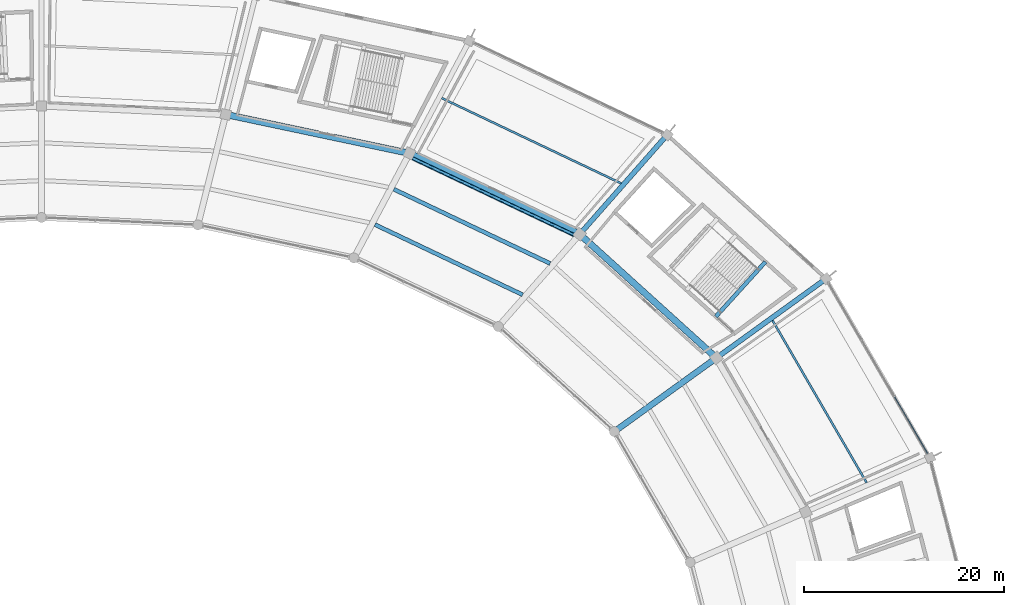
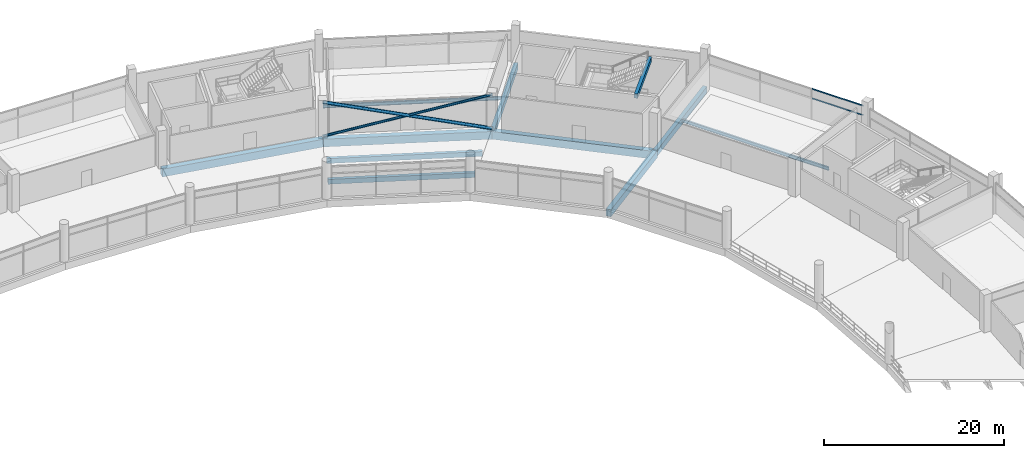
# One storey, part 129 of 184: 11 beams, 4 members, 1 element without a shape of its own.
"""IFC4 building model written with IfcOpenShell, lengths in metres."""

from ifc_helpers import new_model, si_unit, direction, frame, origin, origin_2d, place, context, subcontext, project, spatial, rectangle, hollow_rectangle, hollow_circle, i_section, extrude, material, layer, layer_set, material_profile, profile_set, type_object, element, aggregate, save


model = new_model("IFC4")

# Units and contexts
model_context = context("Model", 3, precision=1e-05, world=origin(), true_north=direction((0.0, 1.0)))
body_context = subcontext(model_context, "Body", "Model", "MODEL_VIEW")
ifc_project = project(units=[si_unit("LENGTHUNIT", "METRE"), si_unit("AREAUNIT", "SQUARE_METRE"), si_unit("VOLUMEUNIT", "CUBIC_METRE"), si_unit("PLANEANGLEUNIT", "RADIAN"), si_unit("MASSUNIT", "GRAM", prefix="KILO")], contexts=[model_context])

# Site, building, storey
site_placement = place(None, origin())
site = spatial("IfcSite", under=ifc_project, at=site_placement, CompositionType="ELEMENT")
building_placement = place(site_placement, origin())
building = spatial("IfcBuilding", under=site, at=building_placement, Name="Kazemori Nagisa Stadium", CompositionType="ELEMENT")
storey_placement = place(building_placement, frame((0.0, 0.0, 10.5400390625)))
storey = spatial("IfcBuildingStorey", under=building, at=storey_placement, Name="L02", CompositionType="ELEMENT", Elevation=10.5400390625)

# Beams
ifc_material_1 = material(Name="Concrete C40/50 (Fc42)", Category="concrete")
ifc_material_profile_1 = material_profile(ifc_material_1, rectangle(XDim=0.39990234375, YDim=0.60009765625, at=origin_2d()), Name="RC-BM-400x600")
ifc_profile_set_1 = profile_set([ifc_material_profile_1], Name="Concrete C40/50 (Fc42)")
beam_type_1 = type_object("IfcBeamType", Name="Beam_BG-LND400X600", PredefinedType="BEAM", material=ifc_profile_set_1)
beam_1_placement = place(storey_placement, frame((190.454345703125, 154.8681640625, 4.5400390625), z_axis=(0.671129682405, 0.741339968837, 0.0), x_axis=(-0.741339968837, 0.671129682405, 0.0)))
element("IfcBeam", 1, at=beam_1_placement, inside=storey, type_object=beam_type_1, Name="Core stair arrival header girder ST01-L02", PredefinedType="BEAM", context=body_context, shape_type="SweptSolid", body=[
    extrude(rectangle(XDim=0.39990234375, YDim=0.60009765625, at=origin_2d()), origin(), (0.0, 0.0, 1.0), 7.3857421875),
])
ifc_material_profile_2 = material_profile(ifc_material_1, rectangle(XDim=0.5, YDim=0.85009765625, at=origin_2d()), Name="RC-BM-500x850")
ifc_profile_set_2 = profile_set([ifc_material_profile_2], Name="Concrete C40/50 (Fc42)")
beam_type_2 = type_object("IfcBeamType", Name="Beam_BG-RC500X850", PredefinedType="BEAM", material=ifc_profile_set_2)
beam_2_placement = place(storey_placement, frame((190.506103515625, 150.734130859375, -0.68505859375), z_axis=(0.810787509935, 0.585340596349, 0.0), x_axis=(-0.585340596349, 0.810787509935, 0.0)))
element("IfcBeam", 2, at=beam_2_placement, inside=storey, type_object=beam_type_2, Name="Radial girder BG-RC500X850 L02 R2-R3-04", PredefinedType="BEAM", context=body_context, shape_type="SweptSolid", body=[
    extrude(rectangle(XDim=0.5, YDim=0.85009765625, at=origin_2d()), origin(), (0.0, 0.0, 1.0), 13.5537109375),
])
beam_3_placement = place(storey_placement, frame((176.834228515625, 163.11083984375, -0.68505859375), z_axis=(0.661019680997, 0.750368563664, 0.0), x_axis=(-0.750368563664, 0.661019680997, 0.0)))
element("IfcBeam", 3, at=beam_3_placement, inside=storey, type_object=beam_type_2, Name="Radial girder BG-RC500X850 L02 R2-R3-05", PredefinedType="BEAM", context=body_context, shape_type="SweptSolid", body=[
    extrude(rectangle(XDim=0.5, YDim=0.85009765625, at=origin_2d()), origin(), (0.0, 0.0, 1.0), 13.2578125),
])
ifc_material_profile_3 = material_profile(ifc_material_1, rectangle(XDim=0.60009765625, YDim=0.949951171875, at=origin_2d()), Name="RC-BM-600x950")
ifc_profile_set_3 = profile_set([ifc_material_profile_3], Name="Concrete C40/50 (Fc42)")
beam_type_3 = type_object("IfcBeamType", Name="Beam_BG-RC600X950", PredefinedType="BEAM", material=ifc_profile_set_3)
beam_4_placement = place(storey_placement, frame((180.301513671875, 143.367431640625, -0.735107421875), z_axis=(0.810802996314, 0.585319144714, 0.0), x_axis=(-0.585319144714, 0.810802996314, 0.0)))
element("IfcBeam", 4, at=beam_4_placement, inside=storey, type_object=beam_type_3, Name="Radial girder BG-RC600X950 L02 R1-R2-04", PredefinedType="BEAM", context=body_context, shape_type="SweptSolid", body=[
    extrude(rectangle(XDim=0.60009765625, YDim=0.949951171875, at=origin_2d()), origin(), (0.0, 0.0, 1.0), 12.585693359375),
])
ifc_material_profile_4 = material_profile(ifc_material_1, rectangle(XDim=0.64990234375, YDim=1.050048828125, at=origin_2d()), Name="RC-BM-650x1050")
ifc_profile_set_4 = profile_set([ifc_material_profile_4], Name="Concrete C40/50 (Fc42)")
beam_type_4 = type_object("IfcBeamType", Name="Beam_BG-RC650X1050", PredefinedType="BEAM", material=ifc_profile_set_4)
beam_5_placement = place(storey_placement, frame((190.506103515625, 150.734130859375, -0.78515625), z_axis=(-0.741349142139, 0.671119549298, 0.0), x_axis=(-0.671119549298, -0.741349142139, 0.0)))
element("IfcBeam", 5, at=beam_5_placement, inside=storey, type_object=beam_type_4, Name="Ring girder BG-RC650X1050 L02 R2-04", PredefinedType="BEAM", context=body_context, shape_type="SweptSolid", body=[
    extrude(rectangle(XDim=0.64990234375, YDim=1.050048828125, at=origin_2d()), origin(), (0.0, 0.0, 1.0), 18.44189453125),
])
beam_6_placement = place(storey_placement, frame((176.834228515625, 163.11083984375, -0.78515625), z_axis=(-0.90321938295, 0.42917915404, 0.0), x_axis=(-0.42917915404, -0.90321938295, 0.0)))
element("IfcBeam", 6, at=beam_6_placement, inside=storey, type_object=beam_type_4, Name="Ring girder BG-RC650X1050 L02 R2-05", PredefinedType="BEAM", context=body_context, shape_type="SweptSolid", body=[
    extrude(rectangle(XDim=0.64990234375, YDim=1.050048828125, at=origin_2d()), origin(), (0.0, 0.0, 1.0), 18.84619140625),
])
beam_7_placement = place(storey_placement, frame((159.81201171875, 171.19921875, -0.78515625), z_axis=(-0.978345149833, 0.206980114499, 0.0), x_axis=(-0.206980114499, -0.978345149833, 0.0)))
element("IfcBeam", 7, at=beam_7_placement, inside=storey, type_object=beam_type_4, Name="Ring girder BG-RC650X1050 L02 R2-06", PredefinedType="BEAM", context=body_context, shape_type="SweptSolid", body=[
    extrude(rectangle(XDim=0.64990234375, YDim=1.050048828125, at=origin_2d()), origin(), (0.0, 0.0, 1.0), 18.791259765625),
])
ifc_material_2 = material(Name="Steel SN490B", Category="steel")
ifc_material_profile_5 = material_profile(ifc_material_2, i_section(OverallWidth=0.199951171875, OverallDepth=0.449951171875, WebThickness=0.009033203125, FlangeThickness=0.013916015625, FilletRadius=0.012939453125, at=origin_2d()), Name="H-450x200x9x14")
ifc_profile_set_5 = profile_set([ifc_material_profile_5], Name="Steel SN490B")
beam_type_5 = type_object("IfcBeamType", Name="Beam_BJ-H450", PredefinedType="JOIST", material=ifc_profile_set_5)
beam_8_placement = place(storey_placement, frame((205.5400390625, 138.2490234375, -0.485107421875), z_axis=(-0.501610844533, 0.865093382616, 0.0), x_axis=(-0.865093382616, -0.501610844533, 0.0)))
element("IfcBeam", 8, at=beam_8_placement, inside=storey, type_object=beam_type_5, Name="Outer bay joist BJ-H450 L02 B03", PredefinedType="JOIST", context=body_context, shape_type="SweptSolid", body=[
    extrude(i_section(OverallWidth=0.199951171875, OverallDepth=0.449951171875, WebThickness=0.009033203125, FlangeThickness=0.013916015625, FilletRadius=0.012939453125, at=origin_2d()), origin(), (0.0, 0.0, 1.0), 18.7724609375),
])
beam_9_placement = place(storey_placement, frame((180.994873046875, 168.18994140625, -0.485107421875), z_axis=(-0.903215058486, 0.429188254876, 0.0), x_axis=(-0.429188254876, -0.903215058486, 0.0)))
element("IfcBeam", 9, at=beam_9_placement, inside=storey, type_object=beam_type_5, Name="Outer bay joist BJ-H450 L02 B05", PredefinedType="JOIST", context=body_context, shape_type="SweptSolid", body=[
    extrude(i_section(OverallWidth=0.199951171875, OverallDepth=0.449951171875, WebThickness=0.009033203125, FlangeThickness=0.013916015625, FilletRadius=0.012939453125, at=origin_2d()), origin(), (0.0, 0.0, 1.0), 19.89013671875),
])
ifc_material_profile_6 = material_profile(ifc_material_1, rectangle(XDim=0.39990234375, YDim=0.64990234375, at=origin_2d()), Name="RC-BM-400x650")
ifc_profile_set_6 = profile_set([ifc_material_profile_6], Name="Concrete C40/50 (Fc42)")
beam_type_6 = type_object("IfcBeamType", Name="Beam_BJ-RC400X650", PredefinedType="JOIST", material=ifc_profile_set_6)
beam_10_placement = place(storey_placement, frame((171.121826171875, 157.05517578125, -0.5849609375), z_axis=(-0.903215717065, 0.429186868912, 0.0), x_axis=(-0.429186868912, -0.903215717065, 0.0)))
element("IfcBeam", 10, at=beam_10_placement, inside=storey, type_object=beam_type_6, Name="Concourse joist BJ-RC400X650 L02 B05-1", PredefinedType="JOIST", context=body_context, shape_type="SweptSolid", body=[
    extrude(rectangle(XDim=0.39990234375, YDim=0.64990234375, at=origin_2d()), origin(), (0.0, 0.0, 1.0), 16.349609375),
])
beam_11_placement = place(storey_placement, frame((173.8759765625, 160.181884765625, -0.5849609375), z_axis=(-0.903215468459, 0.429187392099, 0.0), x_axis=(-0.429187392099, -0.903215468459, 0.0)))
element("IfcBeam", 11, at=beam_11_placement, inside=storey, type_object=beam_type_6, Name="Concourse joist BJ-RC400X650 L02 B05-2", PredefinedType="JOIST", context=body_context, shape_type="SweptSolid", body=[
    extrude(rectangle(XDim=0.39990234375, YDim=0.64990234375, at=origin_2d()), origin(), (0.0, 0.0, 1.0), 17.31396484375),
])

# Members
ifc_material_3 = material(Name="Steel STK490", Category="steel")
ifc_material_profile_7 = material_profile(ifc_material_3, hollow_circle(Radius=0.1591796875, WallThickness=0.01025390625, at=origin_2d()), Name="CHS-318.5x10.3")
ifc_profile_set_7 = profile_set([ifc_material_profile_7], Name="Steel STK490")
member_type_1 = type_object("IfcMemberType", Name="Member_TB-CHS318", PredefinedType="BRACE", material=ifc_profile_set_7)
member_1_placement = place(storey_placement, frame((159.683349609375, 170.92822265625, 0.14990234375), z_axis=(0.877458759714, -0.416938581377, 0.237125166022), x_axis=(0.42917915404, 0.90321938295, 0.0)))
element("IfcMember", 12, at=member_1_placement, inside=storey, type_object=member_type_1, Name="Seismic brace TB-CHS318 L02 B05-B", PredefinedType="BRACE", context=body_context, shape_type="SweptSolid", body=[
    extrude(hollow_circle(Radius=0.1591796875, WallThickness=0.01025390625, at=origin_2d()), origin(), (0.0, 0.0, 1.0), 19.3994140625),
])
ifc_material_profile_8 = material_profile(ifc_material_3, hollow_circle(Radius=0.203125, WallThickness=0.014404296875, at=origin_2d()), Name="CHS-406.4x14.3")
ifc_profile_set_8 = profile_set([ifc_material_profile_8], Name="Steel STK490")
member_type_2 = type_object("IfcMemberType", Name="Member_TB-CHS406", PredefinedType="BRACE", material=ifc_profile_set_8)
member_2_placement = place(storey_placement, frame((176.70556640625, 162.83984375, 0.14990234375), z_axis=(-0.877458759714, 0.416938581377, 0.237125166022), x_axis=(-0.42917915404, -0.90321938295, 0.0)))
element("IfcMember", 13, at=member_2_placement, inside=storey, type_object=member_type_2, Name="Seismic brace TB-CHS355 L02 B05-A", PredefinedType="BRACE", context=body_context, shape_type="SweptSolid", body=[
    extrude(hollow_circle(Radius=0.203125, WallThickness=0.014404296875, at=origin_2d()), origin(), (0.0, 0.0, 1.0), 19.3994140625),
])

# Curtain wall, members
ifc_material_4 = material(Name="Anodised aluminium 6063-T5", Category="aluminium")
ifc_layer = layer(ifc_material_4, 0.2099609375, Name="Anodised aluminium 6063-T5", Category="aluminium")
ifc_layer_set = layer_set([ifc_layer], Name="Anodised aluminium 6063-T5")
curtain_wall_type = type_object("IfcCurtainWallType", Name="CW_L02R3_99", PredefinedType="USERDEFINED", material=ifc_layer_set)
curtain_wall_placement = place(storey_placement, origin())
curtain_wall = element("IfcCurtainWall", 14, at=curtain_wall_placement, inside=storey, type_object=curtain_wall_type, Name="Unitised curtain wall CW-L02R3-99 L02", ObjectType="UNITISED CURTAIN WALL", PredefinedType="USERDEFINED")
ifc_material_5 = material(Name="Aluminium 6063-T5 anodised", Category="aluminium")
ifc_material_profile_9 = material_profile(ifc_material_5, hollow_rectangle(XDim=0.080078125, YDim=0.159912109375, WallThickness=0.00390625, at=origin_2d()), Name="ALU-TRAN-80x160x4")
ifc_profile_set_9 = profile_set([ifc_material_profile_9], Name="Aluminium 6063-T5 anodised")
member_type_3 = type_object("IfcMemberType", Name="Transom_T02", PredefinedType="USERDEFINED", material=ifc_profile_set_9)
member_3_placement = place(storey_placement, frame((211.63671875, 141.177734375, 2.84912109375), z_axis=(-0.501634382126, 0.865079734284, 0.0), x_axis=(-0.865079734284, -0.501634382126, 0.0)))
member_3 = element("IfcMember", 15, at=member_3_placement, type_object=member_type_3, Name="Curtain wall transom CW-L02R3-99-T1-mid", ObjectType="TRANSOM", PredefinedType="USERDEFINED", context=body_context, shape_type="SweptSolid", body=[
    extrude(hollow_rectangle(XDim=0.080078125, YDim=0.159912109375, WallThickness=0.00390625, at=origin_2d()), origin(), (0.0, 0.0, 1.0), 6.54736328125),
])
member_4_placement = place(storey_placement, frame((211.63671875, 141.177734375, 4.119873046875), z_axis=(-0.501634382126, 0.865079734284, 0.0), x_axis=(-0.865079734284, -0.501634382126, 0.0)))
member_4 = element("IfcMember", 16, at=member_4_placement, type_object=member_type_3, Name="Curtain wall transom CW-L02R3-99-T1-head", ObjectType="TRANSOM", PredefinedType="USERDEFINED", context=body_context, shape_type="SweptSolid", body=[
    extrude(hollow_rectangle(XDim=0.080078125, YDim=0.159912109375, WallThickness=0.00390625, at=origin_2d()), origin(), (0.0, 0.0, 1.0), 6.54736328125),
])
aggregate(curtain_wall, [member_3, member_4])

save(model, "model.ifc")
